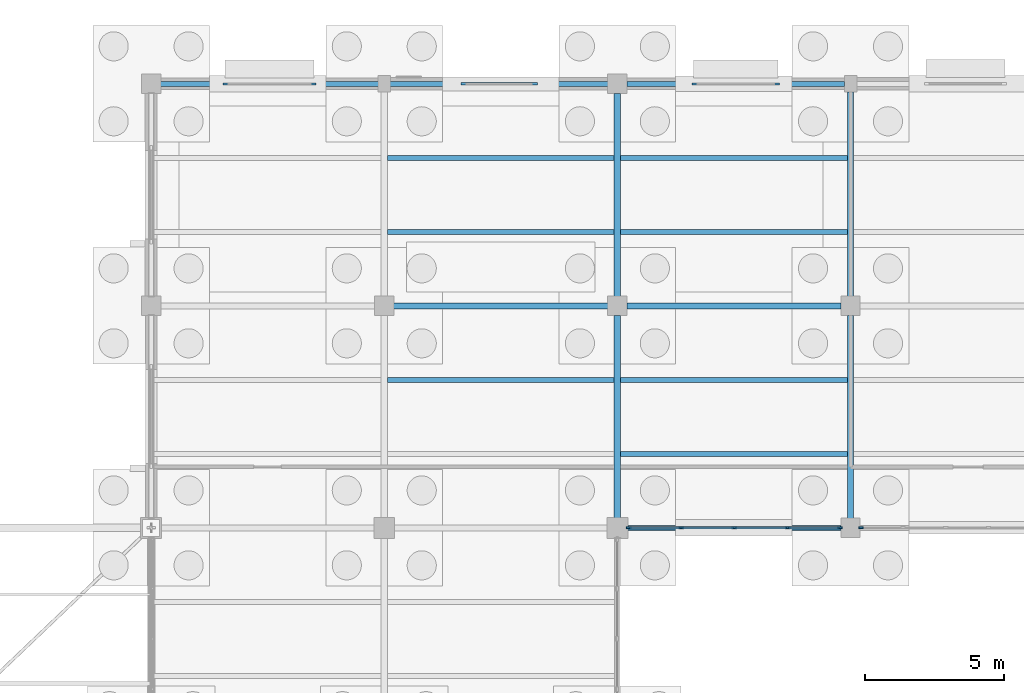
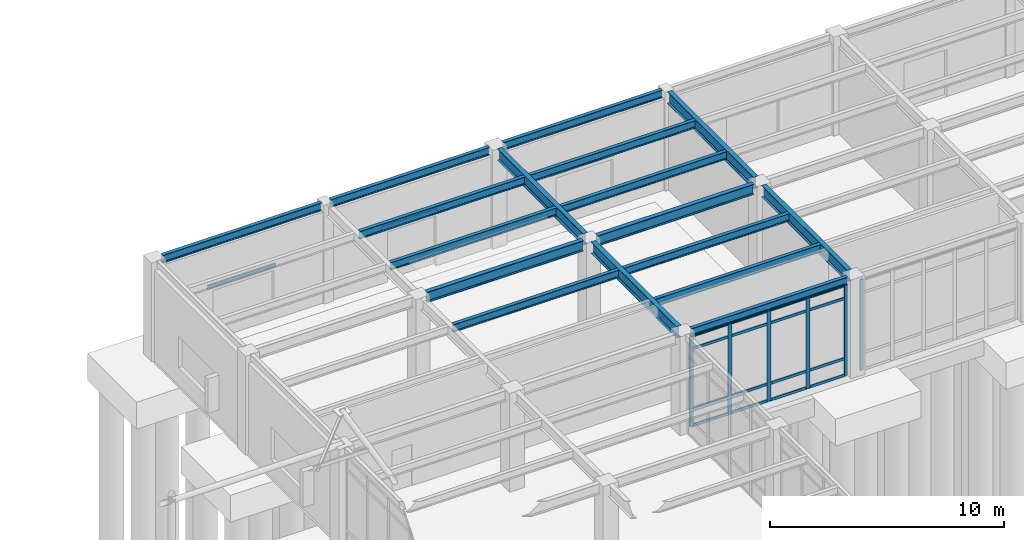
# One storey, part 51 of 138: 22 members, 20 beams, 2 elements without a shape of their own.
"""IFC4 building model written with IfcOpenShell, lengths in metres."""

from ifc_helpers import new_model, si_unit, direction, frame, origin, origin_2d, place, context, subcontext, project, spatial, rectangle, i_section, u_section, extrude, material, layer, layer_set, material_profile, profile_set, type_object, element, aggregate, save


model = new_model("IFC4")

# Units and contexts
model_context = context("Model", 3, precision=1e-05, world=origin(), true_north=direction((0.0, 1.0)))
body_context = subcontext(model_context, "Body", "Model", "MODEL_VIEW")
ifc_project = project(units=[si_unit("LENGTHUNIT", "METRE"), si_unit("AREAUNIT", "SQUARE_METRE"), si_unit("VOLUMEUNIT", "CUBIC_METRE"), si_unit("PLANEANGLEUNIT", "RADIAN"), si_unit("MASSUNIT", "GRAM", prefix="KILO")], contexts=[model_context])

# Site, building, storey
site_placement = place(None, origin())
site = spatial("IfcSite", under=ifc_project, at=site_placement, CompositionType="ELEMENT")
building_placement = place(site_placement, origin())
building = spatial("IfcBuilding", under=site, at=building_placement, Name="Kranzveld Transit Interchange", CompositionType="ELEMENT")
storey_placement = place(building_placement, origin())
storey = spatial("IfcBuildingStorey", under=building, at=storey_placement, Name="L00", CompositionType="ELEMENT", Elevation=0.0)

# Curtain wall, member
ifc_material_1 = material(Name="Bronze-anodised thermally broken aluminium", Category="aluminium")
ifc_layer_1 = layer(ifc_material_1, 0.155029296875)
ifc_layer_set_1 = layer_set([ifc_layer_1], Name="Bronze-anodised thermally broken aluminium")
curtain_wall_type_1 = type_object("IfcCurtainWallType", Name="Operations Courtyard Glazed Screen CW-6", PredefinedType="USERDEFINED", material=ifc_layer_set_1)
curtain_wall_1_placement = place(storey_placement, origin())
curtain_wall_1 = element("IfcCurtainWall", 1, at=curtain_wall_1_placement, inside=storey, type_object=curtain_wall_type_1, Name="L00 Curtain Wall 16/N-17/N", ObjectType="CURTAIN WALL", PredefinedType="USERDEFINED")
ifc_material_2 = material(Name="Bronze-anodised thermally broken aluminium", Category="aluminium")
ifc_material_profile_1 = material_profile(ifc_material_2, rectangle(XDim=0.06494140625, YDim=0.1650390625, at=origin_2d()), Name="ALU MULLION 65x165")
ifc_profile_set_1 = profile_set([ifc_material_profile_1], Name="Bronze-anodised thermally broken aluminium")
member_type_1 = type_object("IfcMemberType", Name="Curtain Wall Mullion 65x165 Alu", PredefinedType="MULLION", material=ifc_profile_set_1)
member_1_placement = place(storey_placement, frame((126.382568359375, 96.0, 0.0), z_axis=(0.0, 0.0, 1.0), x_axis=(0.0, 1.0, 0.0)))
member_1 = element("IfcMember", 2, at=member_1_placement, type_object=member_type_1, Name="CW-6 mullion 1", PredefinedType="MULLION", context=body_context, shape_type="SweptSolid", body=[
    extrude(rectangle(XDim=0.06494140625, YDim=0.1650390625, at=origin_2d()), origin(), (0.0, 0.0, 1.0), 4.740478515625),
])
aggregate(curtain_wall_1, [member_1])

# Curtain wall, members
ifc_material_3 = material(Name="Bronze-anodised thermally broken aluminium", Category="aluminium")
ifc_layer_2 = layer(ifc_material_3, 0.18505859375)
ifc_layer_set_2 = layer_set([ifc_layer_2], Name="Bronze-anodised thermally broken aluminium")
curtain_wall_type_2 = type_object("IfcCurtainWallType", Name="Control Crown Observation Facade CW-5", PredefinedType="USERDEFINED", material=ifc_layer_set_2)
curtain_wall_2_placement = place(storey_placement, origin())
curtain_wall_2 = element("IfcCurtainWall", 3, at=curtain_wall_2_placement, inside=storey, type_object=curtain_wall_type_2, Name="L00 Curtain Wall 15/N-16/N", ObjectType="CURTAIN WALL", PredefinedType="USERDEFINED")
ifc_material_4 = material(Name="Bronze-anodised thermally broken aluminium", Category="aluminium")
ifc_material_profile_2 = material_profile(ifc_material_4, rectangle(XDim=0.06494140625, YDim=0.179931640625, at=origin_2d()), Name="ALU MULLION 65x180")
ifc_profile_set_2 = profile_set([ifc_material_profile_2], Name="Bronze-anodised thermally broken aluminium")
member_type_2 = type_object("IfcMemberType", Name="Curtain Wall Mullion 65x180 Alu", PredefinedType="MULLION", material=ifc_profile_set_2)
member_2_placement = place(storey_placement, frame((118.007568359375, 96.0, 0.0), z_axis=(0.0, 0.0, 1.0), x_axis=(0.0, 1.0, 0.0)))
member_2 = element("IfcMember", 4, at=member_2_placement, type_object=member_type_2, Name="CW-5 mullion 1", PredefinedType="MULLION", context=body_context, shape_type="SweptSolid", body=[
    extrude(rectangle(XDim=0.06494140625, YDim=0.179931640625, at=origin_2d()), origin(), (0.0, 0.0, 1.0), 4.740478515625),
])
member_3_placement = place(storey_placement, frame((119.893798828125, 96.0, 0.0), z_axis=(0.0, 0.0, 1.0), x_axis=(0.0, 1.0, 0.0)))
member_3 = element("IfcMember", 5, at=member_3_placement, type_object=member_type_2, Name="CW-5 mullion 2", PredefinedType="MULLION", context=body_context, shape_type="SweptSolid", body=[
    extrude(rectangle(XDim=0.06494140625, YDim=0.179931640625, at=origin_2d()), origin(), (0.0, 0.0, 1.0), 4.740478515625),
])
member_4_placement = place(storey_placement, frame((121.8125, 96.0, 0.0), z_axis=(0.0, 0.0, 1.0), x_axis=(0.0, 1.0, 0.0)))
member_4 = element("IfcMember", 6, at=member_4_placement, type_object=member_type_2, Name="CW-5 mullion 3", PredefinedType="MULLION", context=body_context, shape_type="SweptSolid", body=[
    extrude(rectangle(XDim=0.06494140625, YDim=0.179931640625, at=origin_2d()), origin(), (0.0, 0.0, 1.0), 4.740478515625),
])
member_5_placement = place(storey_placement, frame((123.731201171875, 96.0, 0.0), z_axis=(0.0, 0.0, 1.0), x_axis=(0.0, 1.0, 0.0)))
member_5 = element("IfcMember", 7, at=member_5_placement, type_object=member_type_2, Name="CW-5 mullion 4", PredefinedType="MULLION", context=body_context, shape_type="SweptSolid", body=[
    extrude(rectangle(XDim=0.06494140625, YDim=0.179931640625, at=origin_2d()), origin(), (0.0, 0.0, 1.0), 4.740478515625),
])
member_6_placement = place(storey_placement, frame((125.617431640625, 96.0, 0.0), z_axis=(0.0, 0.0, 1.0), x_axis=(0.0, 1.0, 0.0)))
member_6 = element("IfcMember", 8, at=member_6_placement, type_object=member_type_2, Name="CW-5 mullion 5", PredefinedType="MULLION", context=body_context, shape_type="SweptSolid", body=[
    extrude(rectangle(XDim=0.06494140625, YDim=0.179931640625, at=origin_2d()), origin(), (0.0, 0.0, 1.0), 4.740478515625),
])
ifc_material_5 = material(Name="Bronze-anodised thermally broken aluminium", Category="aluminium")
ifc_material_profile_3 = material_profile(ifc_material_5, rectangle(XDim=0.06494140625, YDim=0.139892578125, at=origin_2d()), Name="ALU TRANSOM 65x140")
ifc_profile_set_3 = profile_set([ifc_material_profile_3], Name="Bronze-anodised thermally broken aluminium")
member_type_3 = type_object("IfcMemberType", Name="Curtain Wall Transom 65x140 Alu", PredefinedType="USERDEFINED", material=ifc_profile_set_3)
member_7_placement = place(storey_placement, frame((118.0400390625, 96.0, 0.032470703125), z_axis=(1.0, 0.0, 0.0), x_axis=(0.0, 1.0, 0.0)))
member_7 = element("IfcMember", 9, at=member_7_placement, type_object=member_type_3, Name="CW-5 transom 1.1", ObjectType="TRANSOM", PredefinedType="USERDEFINED", context=body_context, shape_type="SweptSolid", body=[
    extrude(rectangle(XDim=0.06494140625, YDim=0.139892578125, at=origin_2d()), origin(), (0.0, 0.0, 1.0), 1.8212890625),
])
member_8_placement = place(storey_placement, frame((118.0400390625, 96.0, 0.89990234375), z_axis=(1.0, 0.0, 0.0), x_axis=(0.0, 1.0, 0.0)))
member_8 = element("IfcMember", 10, at=member_8_placement, type_object=member_type_3, Name="CW-5 transom 1.2", ObjectType="TRANSOM", PredefinedType="USERDEFINED", context=body_context, shape_type="SweptSolid", body=[
    extrude(rectangle(XDim=0.06494140625, YDim=0.139892578125, at=origin_2d()), origin(), (0.0, 0.0, 1.0), 1.8212890625),
])
member_9_placement = place(storey_placement, frame((118.0400390625, 96.0, 4.04052734375), z_axis=(1.0, 0.0, 0.0), x_axis=(0.0, 1.0, 0.0)))
member_9 = element("IfcMember", 11, at=member_9_placement, type_object=member_type_3, Name="CW-5 transom 1.3", ObjectType="TRANSOM", PredefinedType="USERDEFINED", context=body_context, shape_type="SweptSolid", body=[
    extrude(rectangle(XDim=0.06494140625, YDim=0.139892578125, at=origin_2d()), origin(), (0.0, 0.0, 1.0), 1.8212890625),
])
member_10_placement = place(storey_placement, frame((118.0400390625, 96.0, 4.7080078125), z_axis=(1.0, 0.0, 0.0), x_axis=(0.0, 1.0, 0.0)))
member_10 = element("IfcMember", 12, at=member_10_placement, type_object=member_type_3, Name="CW-5 transom 1.4", ObjectType="TRANSOM", PredefinedType="USERDEFINED", context=body_context, shape_type="SweptSolid", body=[
    extrude(rectangle(XDim=0.06494140625, YDim=0.139892578125, at=origin_2d()), origin(), (0.0, 0.0, 1.0), 1.8212890625),
])
member_11_placement = place(storey_placement, frame((119.92626953125, 96.0, 0.032470703125), z_axis=(1.0, 0.0, 0.0), x_axis=(0.0, 1.0, 0.0)))
member_11 = element("IfcMember", 13, at=member_11_placement, type_object=member_type_3, Name="CW-5 transom 2.1", ObjectType="TRANSOM", PredefinedType="USERDEFINED", context=body_context, shape_type="SweptSolid", body=[
    extrude(rectangle(XDim=0.06494140625, YDim=0.139892578125, at=origin_2d()), origin(), (0.0, 0.0, 1.0), 1.853759765625),
])
member_12_placement = place(storey_placement, frame((119.92626953125, 96.0, 0.89990234375), z_axis=(1.0, 0.0, 0.0), x_axis=(0.0, 1.0, 0.0)))
member_12 = element("IfcMember", 14, at=member_12_placement, type_object=member_type_3, Name="CW-5 transom 2.2", ObjectType="TRANSOM", PredefinedType="USERDEFINED", context=body_context, shape_type="SweptSolid", body=[
    extrude(rectangle(XDim=0.06494140625, YDim=0.139892578125, at=origin_2d()), origin(), (0.0, 0.0, 1.0), 1.853759765625),
])
member_13_placement = place(storey_placement, frame((119.92626953125, 96.0, 4.04052734375), z_axis=(1.0, 0.0, 0.0), x_axis=(0.0, 1.0, 0.0)))
member_13 = element("IfcMember", 15, at=member_13_placement, type_object=member_type_3, Name="CW-5 transom 2.3", ObjectType="TRANSOM", PredefinedType="USERDEFINED", context=body_context, shape_type="SweptSolid", body=[
    extrude(rectangle(XDim=0.06494140625, YDim=0.139892578125, at=origin_2d()), origin(), (0.0, 0.0, 1.0), 1.853759765625),
])
member_14_placement = place(storey_placement, frame((119.92626953125, 96.0, 4.7080078125), z_axis=(1.0, 0.0, 0.0), x_axis=(0.0, 1.0, 0.0)))
member_14 = element("IfcMember", 16, at=member_14_placement, type_object=member_type_3, Name="CW-5 transom 2.4", ObjectType="TRANSOM", PredefinedType="USERDEFINED", context=body_context, shape_type="SweptSolid", body=[
    extrude(rectangle(XDim=0.06494140625, YDim=0.139892578125, at=origin_2d()), origin(), (0.0, 0.0, 1.0), 1.853759765625),
])
member_15_placement = place(storey_placement, frame((121.844970703125, 96.0, 0.032470703125), z_axis=(1.0, 0.0, 0.0), x_axis=(0.0, 1.0, 0.0)))
member_15 = element("IfcMember", 17, at=member_15_placement, type_object=member_type_3, Name="CW-5 transom 3.1", ObjectType="TRANSOM", PredefinedType="USERDEFINED", context=body_context, shape_type="SweptSolid", body=[
    extrude(rectangle(XDim=0.06494140625, YDim=0.139892578125, at=origin_2d()), origin(), (0.0, 0.0, 1.0), 1.853759765625),
])
member_16_placement = place(storey_placement, frame((121.844970703125, 96.0, 0.89990234375), z_axis=(1.0, 0.0, 0.0), x_axis=(0.0, 1.0, 0.0)))
member_16 = element("IfcMember", 18, at=member_16_placement, type_object=member_type_3, Name="CW-5 transom 3.2", ObjectType="TRANSOM", PredefinedType="USERDEFINED", context=body_context, shape_type="SweptSolid", body=[
    extrude(rectangle(XDim=0.06494140625, YDim=0.139892578125, at=origin_2d()), origin(), (0.0, 0.0, 1.0), 1.853759765625),
])
member_17_placement = place(storey_placement, frame((121.844970703125, 96.0, 4.04052734375), z_axis=(1.0, 0.0, 0.0), x_axis=(0.0, 1.0, 0.0)))
member_17 = element("IfcMember", 19, at=member_17_placement, type_object=member_type_3, Name="CW-5 transom 3.3", ObjectType="TRANSOM", PredefinedType="USERDEFINED", context=body_context, shape_type="SweptSolid", body=[
    extrude(rectangle(XDim=0.06494140625, YDim=0.139892578125, at=origin_2d()), origin(), (0.0, 0.0, 1.0), 1.853759765625),
])
member_18_placement = place(storey_placement, frame((121.844970703125, 96.0, 4.7080078125), z_axis=(1.0, 0.0, 0.0), x_axis=(0.0, 1.0, 0.0)))
member_18 = element("IfcMember", 20, at=member_18_placement, type_object=member_type_3, Name="CW-5 transom 3.4", ObjectType="TRANSOM", PredefinedType="USERDEFINED", context=body_context, shape_type="SweptSolid", body=[
    extrude(rectangle(XDim=0.06494140625, YDim=0.139892578125, at=origin_2d()), origin(), (0.0, 0.0, 1.0), 1.853759765625),
])
member_19_placement = place(storey_placement, frame((123.763671875, 96.0, 0.032470703125), z_axis=(1.0, 0.0, 0.0), x_axis=(0.0, 1.0, 0.0)))
member_19 = element("IfcMember", 21, at=member_19_placement, type_object=member_type_3, Name="CW-5 transom 4.1", ObjectType="TRANSOM", PredefinedType="USERDEFINED", context=body_context, shape_type="SweptSolid", body=[
    extrude(rectangle(XDim=0.06494140625, YDim=0.139892578125, at=origin_2d()), origin(), (0.0, 0.0, 1.0), 1.8212890625),
])
member_20_placement = place(storey_placement, frame((123.763671875, 96.0, 0.89990234375), z_axis=(1.0, 0.0, 0.0), x_axis=(0.0, 1.0, 0.0)))
member_20 = element("IfcMember", 22, at=member_20_placement, type_object=member_type_3, Name="CW-5 transom 4.2", ObjectType="TRANSOM", PredefinedType="USERDEFINED", context=body_context, shape_type="SweptSolid", body=[
    extrude(rectangle(XDim=0.06494140625, YDim=0.139892578125, at=origin_2d()), origin(), (0.0, 0.0, 1.0), 1.8212890625),
])
member_21_placement = place(storey_placement, frame((123.763671875, 96.0, 4.04052734375), z_axis=(1.0, 0.0, 0.0), x_axis=(0.0, 1.0, 0.0)))
member_21 = element("IfcMember", 23, at=member_21_placement, type_object=member_type_3, Name="CW-5 transom 4.3", ObjectType="TRANSOM", PredefinedType="USERDEFINED", context=body_context, shape_type="SweptSolid", body=[
    extrude(rectangle(XDim=0.06494140625, YDim=0.139892578125, at=origin_2d()), origin(), (0.0, 0.0, 1.0), 1.8212890625),
])
member_22_placement = place(storey_placement, frame((123.763671875, 96.0, 4.7080078125), z_axis=(1.0, 0.0, 0.0), x_axis=(0.0, 1.0, 0.0)))
member_22 = element("IfcMember", 24, at=member_22_placement, type_object=member_type_3, Name="CW-5 transom 4.4", ObjectType="TRANSOM", PredefinedType="USERDEFINED", context=body_context, shape_type="SweptSolid", body=[
    extrude(rectangle(XDim=0.06494140625, YDim=0.139892578125, at=origin_2d()), origin(), (0.0, 0.0, 1.0), 1.8212890625),
])
aggregate(curtain_wall_2, [member_2, member_3, member_4, member_5, member_6, member_7, member_8, member_9, member_10, member_11, member_12, member_13, member_14, member_15, member_16, member_17, member_18, member_19, member_20, member_21, member_22])

# Beams
ifc_material_6 = material(Name="Steel S355JR", Category="steel")
ifc_material_profile_4 = material_profile(ifc_material_6, i_section(OverallWidth=0.1787109375, OverallDepth=0.409423828125, WebThickness=0.0087890625, FlangeThickness=0.014404296875, FilletRadius=0.01025390625, at=origin_2d()), Name="UB 406x178x67")
ifc_profile_set_4 = profile_set([ifc_material_profile_4], Name="Steel S355JR")
beam_type_1 = type_object("IfcBeamType", Name="Facade Spandrel UB 406x178x67 S355JR", PredefinedType="SPANDREL", material=ifc_profile_set_4)
beam_1_placement = place(storey_placement, frame((117.965087890625, 96.0, 4.9453125), z_axis=(1.0, 0.0, 0.0), x_axis=(0.0, 1.0, 0.0)))
element("IfcBeam", 25, at=beam_1_placement, inside=storey, type_object=beam_type_1, Name="L00 Girder 15-16/N", PredefinedType="SPANDREL", context=body_context, shape_type="SweptSolid", body=[
    extrude(i_section(OverallWidth=0.1787109375, OverallDepth=0.409423828125, WebThickness=0.0087890625, FlangeThickness=0.014404296875, FilletRadius=0.01025390625, at=origin_2d()), origin(), (0.0, 0.0, 1.0), 7.69482421875),
])
beam_2_placement = place(storey_placement, frame((101.139892578125, 112.0, 4.9453125), z_axis=(1.0, 0.0, 0.0), x_axis=(0.0, 1.0, 0.0)))
element("IfcBeam", 26, at=beam_2_placement, inside=storey, type_object=beam_type_1, Name="L00 Girder 13-14/Q", PredefinedType="SPANDREL", context=body_context, shape_type="SweptSolid", body=[
    extrude(i_section(OverallWidth=0.1787109375, OverallDepth=0.409423828125, WebThickness=0.0087890625, FlangeThickness=0.014404296875, FilletRadius=0.01025390625, at=origin_2d()), origin(), (0.0, 0.0, 1.0), 7.84521484375),
])
for number, where, z_axis, x_axis, name in (
    (27, (109.4150390625, 112.0, 4.9453125), (1.0, 0.0, 0.0), (0.0, 1.0, 0.0), "L00 Girder 14-15/Q"),
    (28, (117.93994140625, 112.0, 4.9453125), (1.0, 0.0, 0.0), (0.0, 1.0, 0.0), "L00 Girder 15-16/Q"),
):
    element("IfcBeam", number, at=place(storey_placement, frame(where, z_axis=z_axis, x_axis=x_axis)), inside=storey, type_object=beam_type_1, Name=name, PredefinedType="SPANDREL", context=body_context, shape_type="SweptSolid", body=[
        extrude(i_section(OverallWidth=0.1787109375, OverallDepth=0.409423828125, WebThickness=0.0087890625, FlangeThickness=0.014404296875, FilletRadius=0.01025390625, at=origin_2d()), origin(), (0.0, 0.0, 1.0), 7.844970703125),
    ])
ifc_material_7 = material(Name="Steel S355JR", Category="steel")
ifc_material_profile_5 = material_profile(ifc_material_7, i_section(OverallWidth=0.177734375, OverallDepth=0.402587890625, WebThickness=0.0078125, FlangeThickness=0.010986328125, FilletRadius=0.01025390625, at=origin_2d()), Name="UB 406x178x54")
ifc_profile_set_5 = profile_set([ifc_material_profile_5], Name="Steel S355JR")
beam_type_2 = type_object("IfcBeamType", Name="Floor Joist UB 406x178x54 S355JR", PredefinedType="JOIST", material=ifc_profile_set_5)
for number, where, z_axis, x_axis, name in (
    (29, (109.316162109375, 101.333251953125, 4.94873046875), (1.0, 0.0, 0.0), (0.0, 1.0, 0.0), "L00 Secondary Joist 14-15/N.2"),
    (30, (109.316162109375, 106.666748046875, 4.94873046875), (1.0, 0.0, 0.0), (0.0, 1.0, 0.0), "L00 Secondary Joist 14-15/P.1"),
    (31, (109.316162109375, 109.333251953125, 4.94873046875), (1.0, 0.0, 0.0), (0.0, 1.0, 0.0), "L00 Secondary Joist 14-15/P.2"),
    (32, (117.716064453125, 98.666748046875, 4.94873046875), (1.0, 0.0, 0.0), (0.0, 1.0, 0.0), "L00 Secondary Joist 15-16/N.1"),
    (33, (117.716064453125, 101.333251953125, 4.94873046875), (1.0, 0.0, 0.0), (0.0, 1.0, 0.0), "L00 Secondary Joist 15-16/N.2"),
    (34, (117.716064453125, 106.666748046875, 4.94873046875), (1.0, 0.0, 0.0), (0.0, 1.0, 0.0), "L00 Secondary Joist 15-16/P.1"),
    (35, (117.716064453125, 109.333251953125, 4.94873046875), (1.0, 0.0, 0.0), (0.0, 1.0, 0.0), "L00 Secondary Joist 15-16/P.2"),
):
    element("IfcBeam", number, at=place(storey_placement, frame(where, z_axis=z_axis, x_axis=x_axis)), inside=storey, type_object=beam_type_2, Name=name, PredefinedType="JOIST", context=body_context, shape_type="SweptSolid", body=[
        extrude(i_section(OverallWidth=0.177734375, OverallDepth=0.402587890625, WebThickness=0.0078125, FlangeThickness=0.010986328125, FilletRadius=0.01025390625, at=origin_2d()), origin(), (0.0, 0.0, 1.0), 8.167724609375),
    ])
ifc_material_8 = material(Name="Steel S355JR", Category="steel")
ifc_material_profile_6 = material_profile(ifc_material_8, i_section(OverallWidth=0.2119140625, OverallDepth=0.54443359375, WebThickness=0.0126953125, FlangeThickness=0.021240234375, FilletRadius=0.0126953125, at=origin_2d()), Name="UB 533x210x122")
ifc_profile_set_6 = profile_set([ifc_material_profile_6], Name="Steel S355JR")
beam_type_3 = type_object("IfcBeamType", Name="Girder Steel UB 533x210x122 S355JR", PredefinedType="BEAM", material=ifc_profile_set_6)
for number, where, z_axis, x_axis, name in (
    (36, (109.5400390625, 104.0, 4.877685546875), (1.0, 0.0, 0.0), (0.0, 1.0, 0.0), "L00 Girder 14-15/P"),
    (37, (117.93994140625, 104.0, 4.877685546875), (1.0, 0.0, 0.0), (0.0, 1.0, 0.0), "L00 Girder 15-16/P"),
):
    element("IfcBeam", number, at=place(storey_placement, frame(where, z_axis=z_axis, x_axis=x_axis)), inside=storey, type_object=beam_type_3, Name=name, PredefinedType="BEAM", context=body_context, shape_type="SweptSolid", body=[
        extrude(i_section(OverallWidth=0.2119140625, OverallDepth=0.54443359375, WebThickness=0.0126953125, FlangeThickness=0.021240234375, FilletRadius=0.0126953125, at=origin_2d()), origin(), (0.0, 0.0, 1.0), 7.719970703125),
    ])
ifc_material_9 = material(Name="Steel S355JR", Category="steel")
ifc_material_profile_7 = material_profile(ifc_material_9, i_section(OverallWidth=0.228271484375, OverallDepth=0.607666015625, WebThickness=0.010986328125, FlangeThickness=0.017333984375, FilletRadius=0.0126953125, at=origin_2d()), Name="UB 610x229x113")
ifc_profile_set_7 = profile_set([ifc_material_profile_7], Name="Steel S355JR")
beam_type_4 = type_object("IfcBeamType", Name="Girder Steel UB 610x229x113 S355JR", PredefinedType="BEAM", material=ifc_profile_set_7)
beam_3_placement = place(storey_placement, frame((117.60009765625, 96.364990234375, 4.84619140625), z_axis=(0.0, 1.0, 0.0), x_axis=(-1.0, 0.0, 0.0)))
element("IfcBeam", 38, at=beam_3_placement, inside=storey, type_object=beam_type_4, Name="L00 Girder 15/N-P", PredefinedType="BEAM", context=body_context, shape_type="SweptSolid", body=[
    extrude(i_section(OverallWidth=0.228271484375, OverallDepth=0.607666015625, WebThickness=0.010986328125, FlangeThickness=0.017333984375, FilletRadius=0.0126953125, at=origin_2d()), origin(), (0.0, 0.0, 1.0), 7.294921875),
])
for number, where, z_axis, x_axis, name in (
    (39, (117.60009765625, 104.340087890625, 4.84619140625), (0.0, 1.0, 0.0), (-1.0, 0.0, 0.0), "L00 Girder 15/P-Q"),
    (40, (126.0, 96.340087890625, 4.84619140625), (0.0, 1.0, 0.0), (-1.0, 0.0, 0.0), "L00 Girder 16/N-P"),
):
    element("IfcBeam", number, at=place(storey_placement, frame(where, z_axis=z_axis, x_axis=x_axis)), inside=storey, type_object=beam_type_4, Name=name, PredefinedType="BEAM", context=body_context, shape_type="SweptSolid", body=[
        extrude(i_section(OverallWidth=0.228271484375, OverallDepth=0.607666015625, WebThickness=0.010986328125, FlangeThickness=0.017333984375, FilletRadius=0.0126953125, at=origin_2d()), origin(), (0.0, 0.0, 1.0), 7.31982421875),
    ])
beam_4_placement = place(storey_placement, frame((126.0, 104.340087890625, 4.84619140625), z_axis=(0.0, 1.0, 0.0), x_axis=(-1.0, 0.0, 0.0)))
element("IfcBeam", 41, at=beam_4_placement, inside=storey, type_object=beam_type_4, Name="L00 Girder 16/P-Q", PredefinedType="BEAM", context=body_context, shape_type="SweptSolid", body=[
    extrude(i_section(OverallWidth=0.228271484375, OverallDepth=0.607666015625, WebThickness=0.010986328125, FlangeThickness=0.017333984375, FilletRadius=0.0126953125, at=origin_2d()), origin(), (0.0, 0.0, 1.0), 7.369873046875),
])
ifc_material_10 = material(Name="Steel S355JR", Category="steel")
ifc_material_profile_8 = material_profile(ifc_material_10, u_section(Depth=0.179931640625, FlangeWidth=0.070068359375, WebThickness=0.007080078125, FlangeThickness=0.010986328125, FilletRadius=0.010009765625, at=origin_2d()), Name="PFC 180x70x22")
ifc_profile_set_8 = profile_set([ifc_material_profile_8], Name="Steel S355JR")
beam_type_5 = type_object("IfcBeamType", Name="Masonry Lintel PFC 180x70x22 S355JR", PredefinedType="LINTEL", material=ifc_profile_set_8)
beam_5_placement = place(storey_placement, frame((120.282470703125, 112.0, 2.594970703125), z_axis=(1.0, 0.0, 0.0), x_axis=(0.0, 1.0, 0.0)))
element("IfcBeam", 42, at=beam_5_placement, inside=storey, type_object=beam_type_5, Name="L00 Window Lintel 025", PredefinedType="LINTEL", context=body_context, shape_type="SweptSolid", body=[
    extrude(u_section(Depth=0.179931640625, FlangeWidth=0.070068359375, WebThickness=0.007080078125, FlangeThickness=0.010986328125, FilletRadius=0.010009765625, at=origin_2d()), origin(), (0.0, 0.0, 1.0), 3.159912109375),
])
ifc_material_11 = material(Name="Steel S355JR", Category="steel")
ifc_material_profile_9 = material_profile(ifc_material_11, u_section(Depth=0.199951171875, FlangeWidth=0.074951171875, WebThickness=0.006103515625, FlangeThickness=0.012451171875, FilletRadius=0.011962890625, at=origin_2d()), Name="PFC 200x75x23")
ifc_profile_set_9 = profile_set([ifc_material_profile_9], Name="Steel S355JR")
beam_type_6 = type_object("IfcBeamType", Name="Masonry Lintel PFC 200x75x23 S355JR", PredefinedType="LINTEL", material=ifc_profile_set_9)
beam_6_placement = place(storey_placement, frame((103.382568359375, 112.0, 2.655029296875), z_axis=(1.0, 0.0, 0.0), x_axis=(0.0, 1.0, 0.0)))
element("IfcBeam", 43, at=beam_6_placement, inside=storey, type_object=beam_type_6, Name="L00 Window Lintel 024", PredefinedType="LINTEL", context=body_context, shape_type="SweptSolid", body=[
    extrude(u_section(Depth=0.199951171875, FlangeWidth=0.074951171875, WebThickness=0.006103515625, FlangeThickness=0.012451171875, FilletRadius=0.011962890625, at=origin_2d()), origin(), (0.0, 0.0, 1.0), 3.35986328125),
])
ifc_material_12 = material(Name="Steel S355JR", Category="steel")
ifc_material_profile_10 = material_profile(ifc_material_12, u_section(Depth=0.22998046875, FlangeWidth=0.090087890625, WebThickness=0.007568359375, FlangeThickness=0.013916015625, FilletRadius=0.011962890625, at=origin_2d()), Name="PFC 230x90x32")
ifc_profile_set_10 = profile_set([ifc_material_profile_10], Name="Steel S355JR")
beam_type_7 = type_object("IfcBeamType", Name="Masonry Lintel PFC 230x90x32 S355JR", PredefinedType="LINTEL", material=ifc_profile_set_10)
beam_7_placement = place(storey_placement, frame((111.95751953125, 112.0, 2.719970703125), z_axis=(1.0, 0.0, 0.0), x_axis=(0.0, 1.0, 0.0)))
element("IfcBeam", 44, at=beam_7_placement, inside=storey, type_object=beam_type_7, Name="L00 Entrance Door Lintel 007", PredefinedType="LINTEL", context=body_context, shape_type="SweptSolid", body=[
    extrude(u_section(Depth=0.22998046875, FlangeWidth=0.090087890625, WebThickness=0.007568359375, FlangeThickness=0.013916015625, FilletRadius=0.011962890625, at=origin_2d()), origin(), (0.0, 0.0, 1.0), 2.760009765625),
])

save(model, "model.ifc")
